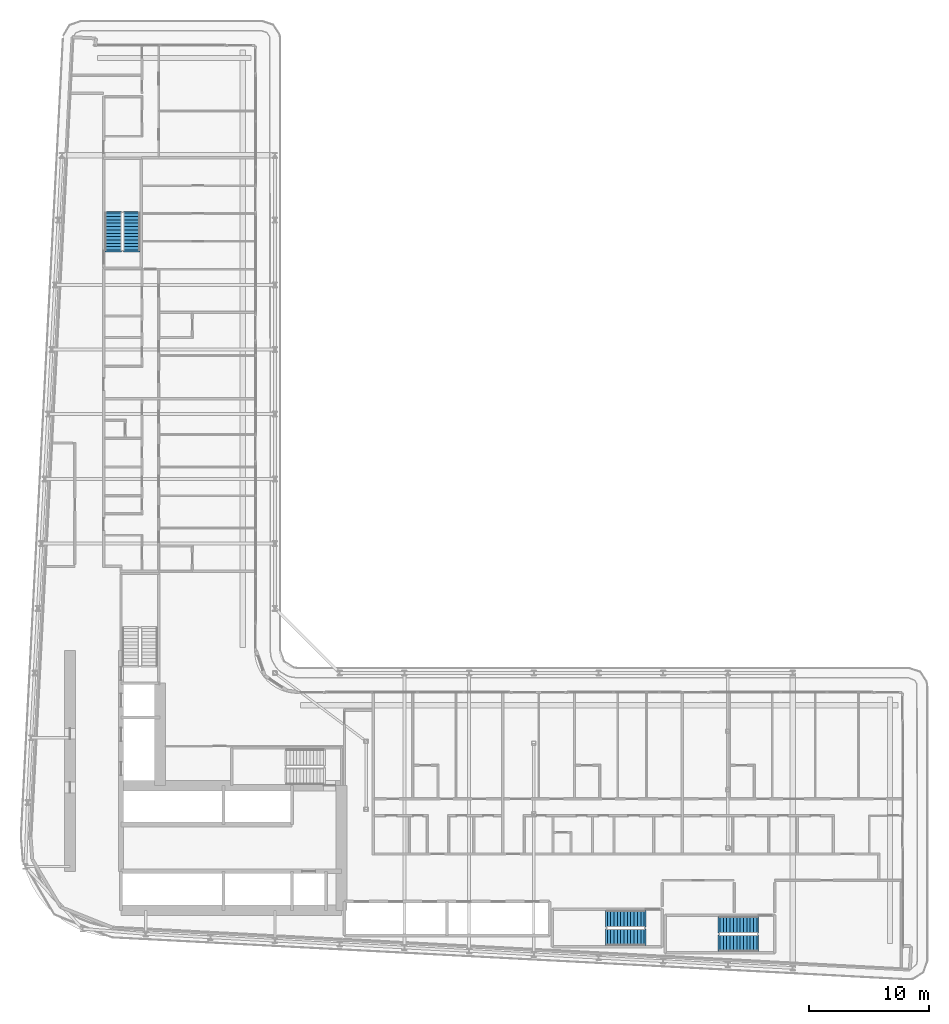
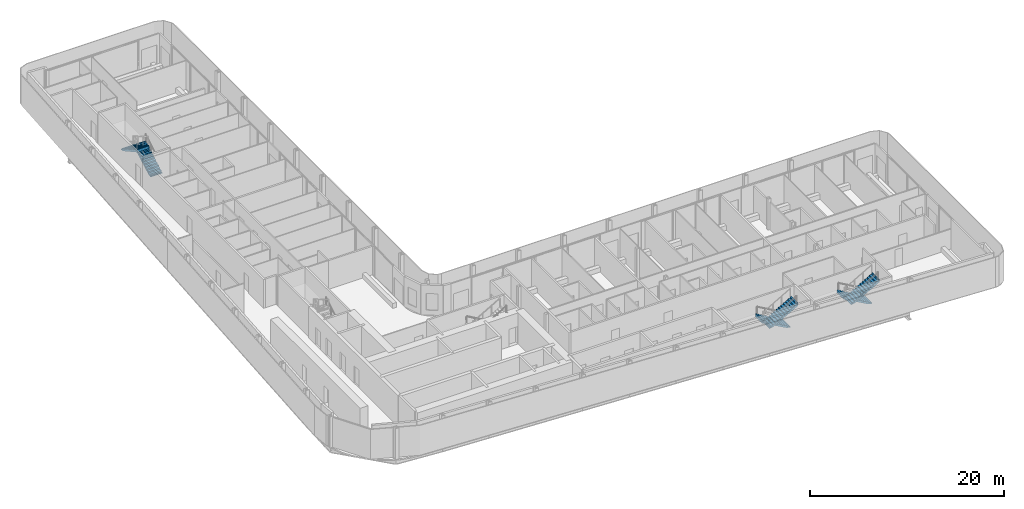
# One storey, part 22 of 29: 6 stair flights, 3 elements without a shape of their own.
"""IFC4 building model written with IfcOpenShell, lengths in metres."""

from ifc_helpers import new_model, si_unit, direction, frame, origin, place, context, subcontext, project, spatial, polyline, outline, extrude, material, layer, layer_set, type_object, element, aggregate, save


model = new_model("IFC4")

# Units and contexts
model_context = context("Model", 3, precision=1e-05, world=origin(), true_north=direction((0.0, 1.0)))
body_context = subcontext(model_context, "Body", "Model", "MODEL_VIEW")
ifc_project = project(units=[si_unit("LENGTHUNIT", "METRE"), si_unit("AREAUNIT", "SQUARE_METRE"), si_unit("VOLUMEUNIT", "CUBIC_METRE"), si_unit("PLANEANGLEUNIT", "RADIAN"), si_unit("MASSUNIT", "GRAM", prefix="KILO")], contexts=[model_context])

# Site, building, storey
site_placement = place(None, origin())
site = spatial("IfcSite", under=ifc_project, at=site_placement, CompositionType="ELEMENT")
building_placement = place(site_placement, origin())
building = spatial("IfcBuilding", under=site, at=building_placement, Name="Kheshtan School and Residences Tower", CompositionType="ELEMENT")
storey_placement = place(building_placement, frame((0.0, 0.0, 121.39990234375)))
storey = spatial("IfcBuildingStorey", under=building, at=storey_placement, Name="L28", CompositionType="ELEMENT", Elevation=121.39990234375)

# Stair, stair flights
ifc_material = material(Name="Concrete C40/50", Category="concrete")
stair_type = type_object("IfcStairType", Name="Exit stair, half-turn", PredefinedType="HALF_TURN_STAIR", material=ifc_material)
stair_1_placement = place(storey_placement, origin())
stair_1 = element("IfcStair", 1, at=stair_1_placement, inside=storey, type_object=stair_type, Name="L28 Protected Exit Stair ST3", PredefinedType="HALF_TURN_STAIR")
ifc_layer = layer(ifc_material, 0.14990234375)
ifc_layer_set = layer_set([ifc_layer], Name="Stair flight 1400 Concrete C40/50")
stair_flight_type = type_object("IfcStairFlightType", Name="Stair flight 1400 Concrete C40/50", PredefinedType="STRAIGHT", material=ifc_layer_set)
stair_flight_1_placement = place(storey_placement, frame((35.64990234375, 80.89990234375, 0.0), z_axis=(0.0, 0.0, 1.0), x_axis=(0.0, 1.0, 0.0)))
stair_flight_1 = element("IfcStairFlight", 2, at=stair_flight_1_placement, type_object=stair_flight_type, Name="ST3 flight 1", NumberOfRisers=12, NumberOfTreads=11, PredefinedType="STRAIGHT", RiserHeight=0.1625, TreadLength=0.28, context=body_context, shape_type="SweptSolid", body=[
    extrude(outline(polyline([(-0.14990234375, -0.10009765625), (-0.14990234375, 0.0), (0.0, 0.0), (0.0, 0.16259765625), (0.280029296875, 0.16259765625), (0.280029296875, 0.324951171875), (0.56005859375, 0.324951171875), (0.56005859375, 0.487548828125), (0.840087890625, 0.487548828125), (0.840087890625, 0.64990234375), (1.1201171875, 0.64990234375), (1.1201171875, 0.8125), (1.39990234375, 0.8125), (1.39990234375, 0.97509765625), (1.679931640625, 0.97509765625), (1.679931640625, 1.137451171875), (1.9599609375, 1.137451171875), (1.9599609375, 1.300048828125), (2.239990234375, 1.300048828125), (2.239990234375, 1.46240234375), (2.52001953125, 1.46240234375), (2.52001953125, 1.625), (2.800048828125, 1.625), (2.800048828125, 1.78759765625), (3.080078125, 1.78759765625), (3.080078125, 1.949951171875), (3.080078125, 1.969970703125), (3.22998046875, 1.969970703125), (3.22998046875, 1.6142578125), (0.298583984375, 0.0), (-0.14990234375, -0.10009765625)])), frame((0.0, 0.699951171875, 0.0), z_axis=(0.0, -1.0, 0.0), x_axis=(1.0, 0.0, 0.0)), (0.0, 0.0, 1.0), 1.39990234375),
])
stair_flight_2_placement = place(storey_placement, frame((34.10009765625, 83.97998046875, 1.9501953125), z_axis=(0.0, 0.0, 1.0), x_axis=(0.0, -1.0, 0.0)))
stair_flight_2 = element("IfcStairFlight", 3, at=stair_flight_2_placement, type_object=stair_flight_type, Name="ST3 flight 2", NumberOfRisers=12, NumberOfTreads=11, PredefinedType="STRAIGHT", RiserHeight=0.1625, TreadLength=0.28, context=body_context, shape_type="SweptSolid", body=[
    extrude(outline(polyline([(-0.14990234375, -0.10009765625), (-0.14990234375, 0.0), (0.0, 0.0), (0.0, 0.16259765625), (0.280029296875, 0.16259765625), (0.280029296875, 0.324951171875), (0.56005859375, 0.324951171875), (0.56005859375, 0.487548828125), (0.840087890625, 0.487548828125), (0.840087890625, 0.64990234375), (1.1201171875, 0.64990234375), (1.1201171875, 0.8125), (1.39990234375, 0.8125), (1.39990234375, 0.97509765625), (1.679931640625, 0.97509765625), (1.679931640625, 1.137451171875), (1.9599609375, 1.137451171875), (1.9599609375, 1.300048828125), (2.239990234375, 1.300048828125), (2.239990234375, 1.46240234375), (2.52001953125, 1.46240234375), (2.52001953125, 1.625), (2.800048828125, 1.625), (2.800048828125, 1.78759765625), (3.080078125, 1.78759765625), (3.080078125, 1.949951171875), (3.080078125, 1.969970703125), (3.22998046875, 1.969970703125), (3.22998046875, 1.6142578125), (0.298583984375, 0.0), (-0.14990234375, -0.10009765625)])), frame((0.0, 0.699951171875, 0.0), z_axis=(0.0, -1.0, 0.0), x_axis=(1.0, 0.0, 0.0)), (0.0, 0.0, 1.0), 1.39990234375),
])
aggregate(stair_1, [stair_flight_1, stair_flight_2])

stair_2_placement = place(storey_placement, origin())
stair_2 = element("IfcStair", 4, at=stair_2_placement, inside=storey, type_object=stair_type, Name="L28 Protected Exit Stair ST4", PredefinedType="HALF_TURN_STAIR")
stair_flight_3_placement = place(storey_placement, frame((87.820068359375, 24.60009765625, 0.0), z_axis=(0.0, 0.0, 1.0), x_axis=(-1.0, 0.0, 0.0)))
stair_flight_3 = element("IfcStairFlight", 5, at=stair_flight_3_placement, type_object=stair_flight_type, Name="ST4 flight 1", NumberOfRisers=12, NumberOfTreads=11, PredefinedType="STRAIGHT", RiserHeight=0.1625, TreadLength=0.28, context=body_context, shape_type="SweptSolid", body=[
    extrude(outline(polyline([(-0.14990234375, -0.10009765625), (-0.14990234375, 0.0), (0.0, 0.0), (0.0, 0.16259765625), (0.280029296875, 0.16259765625), (0.280029296875, 0.324951171875), (0.56005859375, 0.324951171875), (0.56005859375, 0.487548828125), (0.840087890625, 0.487548828125), (0.840087890625, 0.64990234375), (1.1201171875, 0.64990234375), (1.1201171875, 0.8125), (1.39990234375, 0.8125), (1.39990234375, 0.97509765625), (1.679931640625, 0.97509765625), (1.679931640625, 1.137451171875), (1.9599609375, 1.137451171875), (1.9599609375, 1.300048828125), (2.239990234375, 1.300048828125), (2.239990234375, 1.46240234375), (2.52001953125, 1.46240234375), (2.52001953125, 1.625), (2.800048828125, 1.625), (2.800048828125, 1.78759765625), (3.080078125, 1.78759765625), (3.080078125, 1.949951171875), (3.080078125, 1.969970703125), (3.22998046875, 1.969970703125), (3.22998046875, 1.6142578125), (0.298583984375, 0.0), (-0.14990234375, -0.10009765625)])), frame((0.0, 0.699951171875, 0.0), z_axis=(0.0, -1.0, 0.0), x_axis=(1.0, 0.0, 0.0)), (0.0, 0.0, 1.0), 1.39990234375),
])
stair_flight_4_placement = place(storey_placement, frame((84.739990234375, 23.050048828125, 1.9501953125), z_axis=(0.0, 0.0, 1.0), x_axis=(1.0, 0.0, 0.0)))
stair_flight_4 = element("IfcStairFlight", 6, at=stair_flight_4_placement, type_object=stair_flight_type, Name="ST4 flight 2", NumberOfRisers=12, NumberOfTreads=11, PredefinedType="STRAIGHT", RiserHeight=0.1625, TreadLength=0.28, context=body_context, shape_type="SweptSolid", body=[
    extrude(outline(polyline([(-0.14990234375, -0.10009765625), (-0.14990234375, 0.0), (0.0, 0.0), (0.0, 0.16259765625), (0.280029296875, 0.16259765625), (0.280029296875, 0.324951171875), (0.56005859375, 0.324951171875), (0.56005859375, 0.487548828125), (0.840087890625, 0.487548828125), (0.840087890625, 0.64990234375), (1.1201171875, 0.64990234375), (1.1201171875, 0.8125), (1.39990234375, 0.8125), (1.39990234375, 0.97509765625), (1.679931640625, 0.97509765625), (1.679931640625, 1.137451171875), (1.9599609375, 1.137451171875), (1.9599609375, 1.300048828125), (2.239990234375, 1.300048828125), (2.239990234375, 1.46240234375), (2.52001953125, 1.46240234375), (2.52001953125, 1.625), (2.800048828125, 1.625), (2.800048828125, 1.78759765625), (3.080078125, 1.78759765625), (3.080078125, 1.949951171875), (3.080078125, 1.969970703125), (3.22998046875, 1.969970703125), (3.22998046875, 1.6142578125), (0.298583984375, 0.0), (-0.14990234375, -0.10009765625)])), frame((0.0, 0.699951171875, 0.0), z_axis=(0.0, -1.0, 0.0), x_axis=(1.0, 0.0, 0.0)), (0.0, 0.0, 1.0), 1.39990234375),
])
aggregate(stair_2, [stair_flight_3, stair_flight_4])

stair_3_placement = place(storey_placement, origin())
stair_3 = element("IfcStair", 7, at=stair_3_placement, inside=storey, type_object=stair_type, Name="L28 Protected Exit Stair ST5", PredefinedType="HALF_TURN_STAIR")
stair_flight_5_placement = place(storey_placement, frame((78.409912109375, 25.10009765625, 0.0), z_axis=(0.0, 0.0, 1.0), x_axis=(-1.0, 0.0, 0.0)))
stair_flight_5 = element("IfcStairFlight", 8, at=stair_flight_5_placement, type_object=stair_flight_type, Name="ST5 flight 1", NumberOfRisers=12, NumberOfTreads=11, PredefinedType="STRAIGHT", RiserHeight=0.1625, TreadLength=0.28, context=body_context, shape_type="SweptSolid", body=[
    extrude(outline(polyline([(-0.14990234375, -0.10009765625), (-0.14990234375, 0.0), (0.0, 0.0), (0.0, 0.16259765625), (0.280029296875, 0.16259765625), (0.280029296875, 0.324951171875), (0.56005859375, 0.324951171875), (0.56005859375, 0.487548828125), (0.840087890625, 0.487548828125), (0.840087890625, 0.64990234375), (1.1201171875, 0.64990234375), (1.1201171875, 0.8125), (1.39990234375, 0.8125), (1.39990234375, 0.97509765625), (1.679931640625, 0.97509765625), (1.679931640625, 1.137451171875), (1.9599609375, 1.137451171875), (1.9599609375, 1.300048828125), (2.239990234375, 1.300048828125), (2.239990234375, 1.46240234375), (2.52001953125, 1.46240234375), (2.52001953125, 1.625), (2.800048828125, 1.625), (2.800048828125, 1.78759765625), (3.080078125, 1.78759765625), (3.080078125, 1.949951171875), (3.080078125, 1.969970703125), (3.22998046875, 1.969970703125), (3.22998046875, 1.6142578125), (0.298583984375, 0.0), (-0.14990234375, -0.10009765625)])), frame((0.0, 0.699951171875, 0.0), z_axis=(0.0, -1.0, 0.0), x_axis=(1.0, 0.0, 0.0)), (0.0, 0.0, 1.0), 1.39990234375),
])
stair_flight_6_placement = place(storey_placement, frame((75.330078125, 23.550048828125, 1.9501953125), z_axis=(0.0, 0.0, 1.0), x_axis=(1.0, 0.0, 0.0)))
stair_flight_6 = element("IfcStairFlight", 9, at=stair_flight_6_placement, type_object=stair_flight_type, Name="ST5 flight 2", NumberOfRisers=12, NumberOfTreads=11, PredefinedType="STRAIGHT", RiserHeight=0.1625, TreadLength=0.28, context=body_context, shape_type="SweptSolid", body=[
    extrude(outline(polyline([(-0.14990234375, -0.10009765625), (-0.14990234375, 0.0), (0.0, 0.0), (0.0, 0.16259765625), (0.280029296875, 0.16259765625), (0.280029296875, 0.324951171875), (0.56005859375, 0.324951171875), (0.56005859375, 0.487548828125), (0.840087890625, 0.487548828125), (0.840087890625, 0.64990234375), (1.1201171875, 0.64990234375), (1.1201171875, 0.8125), (1.39990234375, 0.8125), (1.39990234375, 0.97509765625), (1.679931640625, 0.97509765625), (1.679931640625, 1.137451171875), (1.9599609375, 1.137451171875), (1.9599609375, 1.300048828125), (2.239990234375, 1.300048828125), (2.239990234375, 1.46240234375), (2.52001953125, 1.46240234375), (2.52001953125, 1.625), (2.800048828125, 1.625), (2.800048828125, 1.78759765625), (3.080078125, 1.78759765625), (3.080078125, 1.949951171875), (3.080078125, 1.969970703125), (3.22998046875, 1.969970703125), (3.22998046875, 1.6142578125), (0.298583984375, 0.0), (-0.14990234375, -0.10009765625)])), frame((0.0, 0.699951171875, 0.0), z_axis=(0.0, -1.0, 0.0), x_axis=(1.0, 0.0, 0.0)), (0.0, 0.0, 1.0), 1.39990234375),
])
aggregate(stair_3, [stair_flight_5, stair_flight_6])

save(model, "model.ifc")
